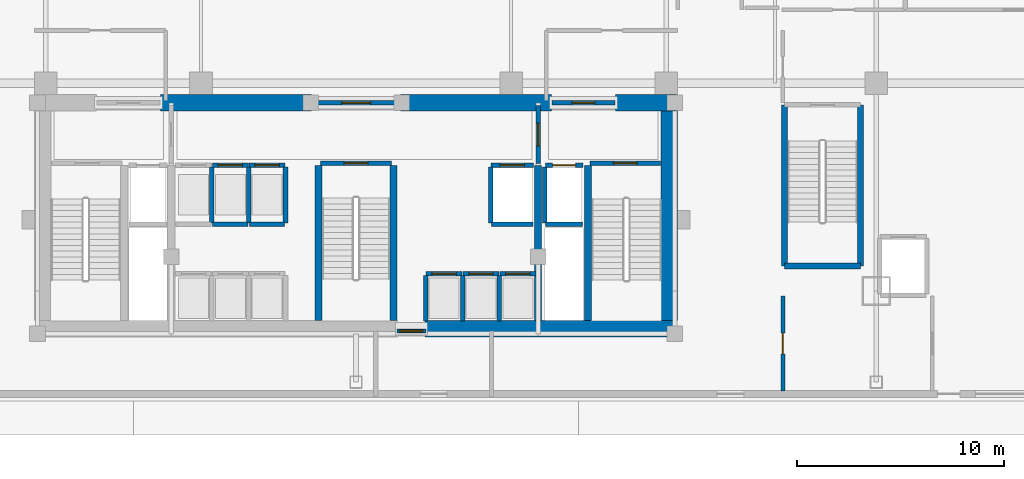
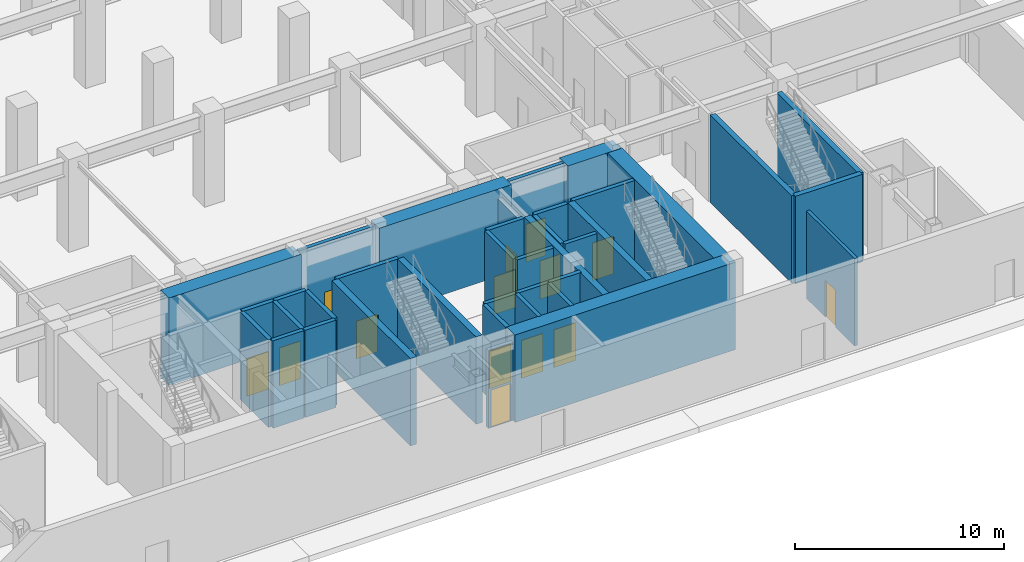
# One storey, part 17 of 23: 38 walls, 14 doors, 14 openings.
"""IFC4 building model written with IfcOpenShell, lengths in metres."""

from ifc_helpers import new_model, si_unit, direction, frame, frame_2d, origin, place, context, subcontext, project, spatial, rectangle, extrude, material, layer, layer_set, type_object, element, fill, save


model = new_model("IFC4")

# Units and contexts
model_context = context("Model", 3, precision=1e-05, world=origin(), true_north=direction((0.0, 1.0)))
body_context = subcontext(model_context, "Body", "Model", "MODEL_VIEW")
ifc_project = project(units=[si_unit("LENGTHUNIT", "METRE"), si_unit("AREAUNIT", "SQUARE_METRE"), si_unit("VOLUMEUNIT", "CUBIC_METRE"), si_unit("PLANEANGLEUNIT", "RADIAN"), si_unit("MASSUNIT", "GRAM", prefix="KILO")], contexts=[model_context])

# Site, building, storey
site_placement = place(None, origin())
site = spatial("IfcSite", under=ifc_project, at=site_placement, CompositionType="ELEMENT")
building_placement = place(site_placement, origin())
building = spatial("IfcBuilding", under=site, at=building_placement, Name="Ventersveld Concourse Tower", CompositionType="ELEMENT")
storey_placement = place(building_placement, origin())
storey = spatial("IfcBuildingStorey", under=building, at=storey_placement, Name="L00", CompositionType="ELEMENT", Elevation=0.0)

# Walls
ifc_material_1 = material(Name="Concrete C60/75", Category="concrete")
ifc_layer_1 = layer(ifc_material_1, 0.35009765625)
ifc_layer_set_1 = layer_set([ifc_layer_1], Name="Concrete C60/75")
wall_type_1 = type_object("IfcWallType", Name="WL-CORE-350L", PredefinedType="SHEAR", material=ifc_layer_set_1)
for number, where, z_axis, x_axis, name in (
    (1, (26.93994140625, 0.919921875, 0.0), (0.0, 0.0, 1.0), (0.0, 1.0, 0.0), "L00 Core Internal Shear Web W-ST3-W"),
    (2, (30.56005859375, 0.919921875, 0.0), (0.0, 0.0, 1.0), (0.0, 1.0, 0.0), "L00 Core Internal Shear Web W-ST3-E"),
    (3, (37.550048828125, 0.919921875, 0.0), (0.0, 0.0, 1.0), (0.0, 1.0, 0.0), "L00 Core Internal Shear Web W-SVL-W"),
    (4, (39.9599609375, 0.919921875, 0.0), (0.0, 0.0, 1.0), (0.0, 1.0, 0.0), "L00 Core Internal Shear Web W-ST2-W"),
):
    element("IfcWall", number, at=place(storey_placement, frame(where, z_axis=z_axis, x_axis=x_axis)), inside=storey, type_object=wall_type_1, Name=name, PredefinedType="SHEAR", context=body_context, shape_type="SweptSolid", body=[
        extrude(rectangle(XDim=7.5, YDim=0.35009765625, at=frame_2d((3.75, 0.0))), origin(), (0.0, 0.0, 1.0), 5.10009765625),
    ])
ifc_layer_2 = layer(ifc_material_1, 0.800048828125)
ifc_layer_set_2 = layer_set([ifc_layer_2], Name="Concrete C60/75")
wall_type_2 = type_object("IfcWallType", Name="WL-CORE-800", PredefinedType="SHEAR", material=ifc_layer_set_2)
wall_1_placement = place(storey_placement, frame((32.080078125, 0.52001953125, 0.0), z_axis=(0.0, 0.0, 1.0), x_axis=(1.0, 0.0, 0.0)))
element("IfcWall", 5, at=wall_1_placement, inside=storey, type_object=wall_type_2, Name="L00 Rear Core South Shear Wall East", PredefinedType="SHEAR", context=body_context, shape_type="SweptSolid", body=[
    extrude(rectangle(XDim=12.169921875, YDim=0.800048828125, at=frame_2d((6.0849609375, 0.0))), origin(), (0.0, 0.0, 1.0), 5.10009765625),
])
wall_2_placement = place(storey_placement, frame((43.89990234375, 0.919921875, 0.0), z_axis=(0.0, 0.0, 1.0), x_axis=(0.0, 1.0, 0.0)))
element("IfcWall", 6, at=wall_2_placement, inside=storey, type_object=wall_type_2, Name="L00 Rear Core East Shear Wall", PredefinedType="SHEAR", context=body_context, shape_type="SweptSolid", body=[
    extrude(rectangle(XDim=10.530029296875, YDim=0.800048828125, at=frame_2d((5.26513671875, 0.0))), origin(), (0.0, 0.0, 1.0), 5.10009765625),
])
for number, where, z_axis, x_axis, name in (
    (7, (19.300048828125, 11.449951171875, 0.0), (0.0, 0.0, 1.0), (1.0, 0.0, 0.0), "L00 Rear Core North Shear Wall NML"),
    (8, (30.89990234375, 11.449951171875, 0.0), (0.0, 0.0, 1.0), (1.0, 0.0, 0.0), "L00 Rear Core North Shear Wall NMR"),
):
    element("IfcWall", number, at=place(storey_placement, frame(where, z_axis=z_axis, x_axis=x_axis)), inside=storey, type_object=wall_type_2, Name=name, PredefinedType="SHEAR", context=body_context, shape_type="SweptSolid", body=[
        extrude(rectangle(XDim=7.300048828125, YDim=0.800048828125, at=frame_2d((3.64990234375, 0.0))), origin(), (0.0, 0.0, 1.0), 5.10009765625),
    ])
wall_3_placement = place(storey_placement, frame((41.300048828125, 11.449951171875, 0.0), z_axis=(0.0, 0.0, 1.0), x_axis=(1.0, 0.0, 0.0)))
element("IfcWall", 9, at=wall_3_placement, inside=storey, type_object=wall_type_2, Name="L00 Rear Core North Shear Wall NE", PredefinedType="SHEAR", context=body_context, shape_type="SweptSolid", body=[
    extrude(rectangle(XDim=2.949951171875, YDim=0.800048828125, at=frame_2d((1.47509765625, 0.0))), origin(), (0.0, 0.0, 1.0), 5.10009765625),
])

# Wall, opening, door
ifc_material_2 = material(Name="Fire-rated autoclaved aerated masonry blockwork", Category="masonry")
ifc_layer_3 = layer(ifc_material_2, 0.179931640625)
ifc_layer_set_3 = layer_set([ifc_layer_3], Name="Fire-rated autoclaved aerated masonry blockwork")
wall_type_3 = type_object("IfcWallType", Name="WL-CORR-180", PredefinedType="PARTITIONING", material=ifc_layer_set_3)
wall_4_placement = place(storey_placement, frame((49.389892578125, -2.47509765625, 0.0), z_axis=(0.0, 0.0, 1.0), x_axis=(0.0, 1.0, 0.0)))
wall_4 = element("IfcWall", 10, at=wall_4_placement, inside=storey, type_object=wall_type_3, Name="L00 Interior Partition SP-L00-SVCOR-SP-L00-EXP2", PredefinedType="PARTITIONING", context=body_context, shape_type="SweptSolid", body=[
    extrude(rectangle(XDim=4.590087890625, YDim=0.179931640625, at=frame_2d((2.294921875, 0.0))), origin(), (0.0, 0.0, 1.0), 5.10009765625),
])
opening_1_placement = place(wall_4_placement, frame((1.794921875, 0.0, 0.0)))
opening_1 = element("IfcOpeningElement", 11, at=opening_1_placement, cuts=wall_4, Name="Opening FD3", PredefinedType="OPENING", context=body_context, shape_type="SweptSolid", body=[
    extrude(rectangle(XDim=1.0, YDim=2.14990234375, at=frame_2d((0.5, 1.074951171875))), frame((0.0, 0.10009765625, 0.0), z_axis=(0.0, -1.0, 0.0), x_axis=(1.0, 0.0, 0.0)), (0.0, 0.0, 1.0), 0.199951171875),
])
ifc_material_3 = material(Name="Solid-core hardwood veneer timber", Category="wood")
door_type_1 = type_object("IfcDoorType", Name="DR-FLAT-100", OperationType="NOTDEFINED", PredefinedType="DOOR", material=ifc_material_3)
door_1_placement = place(opening_1_placement, origin())
door_1 = element("IfcDoor", 12, at=door_1_placement, inside=storey, type_object=door_type_1, Name="L00 Interior Door SP-L00-SVCOR to SP-L00-EXP2 (D-L00-0067)", OperationType="SINGLE_SWING_LEFT", OverallHeight=2.14990234375, OverallWidth=1.0, PredefinedType="DOOR", context=body_context, shape_type="SweptSolid", body=[
    extrude(rectangle(XDim=1.0, YDim=2.14990234375, at=frame_2d((0.5, 1.074951171875))), frame((0.0, 0.02490234375, 0.0), z_axis=(0.0, -1.0, 0.0), x_axis=(1.0, 0.0, 0.0)), (0.0, 0.0, 1.0), 0.050048828125),
])
fill(opening_1, door_1)

ifc_layer_4 = layer(ifc_material_2, 0.199951171875)
ifc_layer_set_4 = layer_set([ifc_layer_4], Name="Fire-rated autoclaved aerated masonry blockwork")
wall_type_4 = type_object("IfcWallType", Name="WL-DEMISE-200", PredefinedType="PARTITIONING", material=ifc_layer_set_4)
wall_5_placement = place(storey_placement, frame((30.719970703125, 0.419921875, 0.0), z_axis=(0.0, 0.0, 1.0), x_axis=(1.0, 0.0, 0.0)))
wall_5 = element("IfcWall", 13, at=wall_5_placement, inside=storey, type_object=wall_type_4, Name="L00 ST-03 South Protected Exit Portal Wall", PredefinedType="PARTITIONING", context=body_context, shape_type="SweptSolid", body=[
    extrude(rectangle(XDim=1.400146484375, YDim=0.199951171875, at=frame_2d((0.7001953125, 0.0))), origin(), (0.0, 0.0, 1.0), 4.555419921875),
])
opening_2_placement = place(wall_5_placement, frame((0.14990234375, 0.0, 0.0)))
opening_2 = element("IfcOpeningElement", 14, at=opening_2_placement, cuts=wall_5, Name="Opening FD2", PredefinedType="OPENING", context=body_context, shape_type="SweptSolid", body=[
    extrude(rectangle(XDim=1.10009765625, YDim=2.199951171875, at=frame_2d((0.550048828125, 1.10009765625))), frame((0.0, 0.10986328125, 0.0), z_axis=(0.0, -1.0, 0.0), x_axis=(1.0, 0.0, 0.0)), (0.0, 0.0, 1.0), 0.219970703125),
])
ifc_material_4 = material(Name="Galvanised painted steel", Category="steel")
door_type_2 = type_object("IfcDoorType", Name="DR-FFL-110", OperationType="NOTDEFINED", PredefinedType="DOOR", material=ifc_material_4)
door_2_placement = place(opening_2_placement, origin())
door_2 = element("IfcDoor", 15, at=door_2_placement, inside=storey, type_object=door_type_2, Name="L00 ST-03 Protected Exit Lobby Fire Door (FD-L00-0049)", OperationType="SINGLE_SWING_LEFT", OverallHeight=2.199951171875, OverallWidth=1.10009765625, PredefinedType="DOOR", context=body_context, shape_type="SweptSolid", body=[
    extrude(rectangle(XDim=1.10009765625, YDim=2.199951171875, at=frame_2d((0.550048828125, 1.10009765625))), frame((0.0, 0.02490234375, 0.0), z_axis=(0.0, -1.0, 0.0), x_axis=(1.0, 0.0, 0.0)), (0.0, 0.0, 1.0), 0.050048828125),
])
fill(opening_2, door_2)

# Walls
ifc_layer_5 = layer(ifc_material_2, 0.219970703125)
ifc_layer_set_5 = layer_set([ifc_layer_5], Name="Fire-rated autoclaved aerated masonry blockwork")
wall_type_5 = type_object("IfcWallType", Name="WL-HOIST-220", PredefinedType="SOLIDWALL", material=ifc_layer_set_5)
wall_6_placement = place(storey_placement, frame((37.919921875, 5.590087890625, 0.0), z_axis=(0.0, 0.0, 1.0), x_axis=(1.0, 0.0, 0.0)))
element("IfcWall", 16, at=wall_6_placement, inside=storey, type_object=wall_type_5, Name="L00 Lift Hoistway Back Wall FFL-02", PredefinedType="SOLIDWALL", context=body_context, shape_type="SweptSolid", body=[
    extrude(rectangle(XDim=1.780029296875, YDim=0.219970703125, at=frame_2d((0.89013671875, 0.0))), origin(), (0.0, 0.0, 1.0), 5.10009765625),
])
wall_7_placement = place(storey_placement, frame((37.8798828125, 5.64990234375, 0.0), z_axis=(0.0, 0.0, 1.0), x_axis=(0.0, 1.0, 0.0)))
element("IfcWall", 17, at=wall_7_placement, inside=storey, type_object=wall_type_5, Name="L00 Lift Hoistway Side Wall FFL-02W", PredefinedType="SOLIDWALL", context=body_context, shape_type="SweptSolid", body=[
    extrude(rectangle(XDim=2.7001953125, YDim=0.219970703125, at=frame_2d((1.35009765625, 0.0))), origin(), (0.0, 0.0, 1.0), 5.10009765625),
])

# Wall, opening, door
wall_8_placement = place(storey_placement, frame((37.89990234375, 8.429931640625, 0.0), z_axis=(0.0, 0.0, 1.0), x_axis=(1.0, 0.0, 0.0)))
wall_8 = element("IfcWall", 18, at=wall_8_placement, inside=storey, type_object=wall_type_5, Name="L00 Lift Hoistway Front Wall FFL-02", PredefinedType="SOLIDWALL", context=body_context, shape_type="SweptSolid", body=[
    extrude(rectangle(XDim=1.820068359375, YDim=0.219970703125, at=frame_2d((0.91015625, 0.0))), origin(), (0.0, 0.0, 1.0), 5.10009765625),
])
opening_3_placement = place(wall_8_placement, frame((0.35009765625, 0.0, 0.0)))
opening_3 = element("IfcOpeningElement", 19, at=opening_3_placement, cuts=wall_8, Name="Opening LD1", PredefinedType="OPENING", context=body_context, shape_type="SweptSolid", body=[
    extrude(rectangle(XDim=1.1201171875, YDim=2.25, at=frame_2d((0.56005859375, 1.125))), frame((0.0, 0.1201171875, 0.0), z_axis=(0.0, -1.0, 0.0), x_axis=(1.0, 0.0, 0.0)), (0.0, 0.0, 1.0), 0.239990234375),
])
ifc_material_5 = material(Name="Brushed stainless steel 316", Category="steel")
door_type_3 = type_object("IfcDoorType", Name="LD-FF-112", OperationType="SLIDING_TO_LEFT", PredefinedType="DOOR", material=ifc_material_5)
door_3_placement = place(opening_3_placement, origin())
door_3 = element("IfcDoor", 20, at=door_3_placement, inside=storey, type_object=door_type_3, Name="L00 Lift landing door FFL-02 (LD-L00-FFL-02)", OperationType="SLIDING_TO_RIGHT", OverallHeight=2.25, OverallWidth=1.1201171875, PredefinedType="DOOR", context=body_context, shape_type="SweptSolid", body=[
    extrude(rectangle(XDim=1.1201171875, YDim=2.25, at=frame_2d((0.56005859375, 1.125))), frame((0.0, 0.02490234375, 0.0), z_axis=(0.0, -1.0, 0.0), x_axis=(1.0, 0.0, 0.0)), (0.0, 0.0, 1.0), 0.050048828125),
])
fill(opening_3, door_3)

# Walls
wall_9_placement = place(storey_placement, frame((35.300048828125, 5.590087890625, 0.0), z_axis=(0.0, 0.0, 1.0), x_axis=(1.0, 0.0, 0.0)))
element("IfcWall", 21, at=wall_9_placement, inside=storey, type_object=wall_type_5, Name="L00 Lift Hoistway Back Wall SVL-01", PredefinedType="SOLIDWALL", context=body_context, shape_type="SweptSolid", body=[
    extrude(rectangle(XDim=2.0, YDim=0.219970703125, at=frame_2d((1.0, 0.0))), origin(), (0.0, 0.0, 1.0), 5.10009765625),
])
wall_10_placement = place(storey_placement, frame((35.260009765625, 5.64990234375, 0.0), z_axis=(0.0, 0.0, 1.0), x_axis=(0.0, 1.0, 0.0)))
element("IfcWall", 22, at=wall_10_placement, inside=storey, type_object=wall_type_5, Name="L00 Lift Hoistway Side Wall SVL-01W", PredefinedType="SOLIDWALL", context=body_context, shape_type="SweptSolid", body=[
    extrude(rectangle(XDim=2.7001953125, YDim=0.219970703125, at=frame_2d((1.35009765625, 0.0))), origin(), (0.0, 0.0, 1.0), 5.10009765625),
])

# Wall, opening, door
wall_11_placement = place(storey_placement, frame((35.280029296875, 8.429931640625, 0.0), z_axis=(0.0, 0.0, 1.0), x_axis=(1.0, 0.0, 0.0)))
wall_11 = element("IfcWall", 23, at=wall_11_placement, inside=storey, type_object=wall_type_5, Name="L00 Lift Hoistway Front Wall SVL-01", PredefinedType="SOLIDWALL", context=body_context, shape_type="SweptSolid", body=[
    extrude(rectangle(XDim=2.0400390625, YDim=0.219970703125, at=frame_2d((1.02001953125, 0.0))), origin(), (0.0, 0.0, 1.0), 5.10009765625),
])
opening_4_placement = place(wall_11_placement, frame((0.429931640625, 0.0, 0.0)))
opening_4 = element("IfcOpeningElement", 24, at=opening_4_placement, cuts=wall_11, Name="Opening LD2", PredefinedType="OPENING", context=body_context, shape_type="SweptSolid", body=[
    extrude(rectangle(XDim=1.179931640625, YDim=2.199951171875, at=frame_2d((0.58984375, 1.10009765625))), frame((0.0, 0.1201171875, 0.0), z_axis=(0.0, -1.0, 0.0), x_axis=(1.0, 0.0, 0.0)), (0.0, 0.0, 1.0), 0.239990234375),
])
door_type_4 = type_object("IfcDoorType", Name="LD-PAX-118", OperationType="SLIDING_TO_LEFT", PredefinedType="DOOR", material=ifc_material_5)
door_4_placement = place(opening_4_placement, origin())
door_4 = element("IfcDoor", 25, at=door_4_placement, inside=storey, type_object=door_type_4, Name="L00 Lift landing door SVL-01 (LD-L00-SVL-01)", OperationType="SLIDING_TO_LEFT", OverallHeight=2.199951171875, OverallWidth=1.179931640625, PredefinedType="DOOR", context=body_context, shape_type="SweptSolid", body=[
    extrude(rectangle(XDim=1.179931640625, YDim=2.199951171875, at=frame_2d((0.58984375, 1.10009765625))), frame((0.0, 0.02490234375, 0.0), z_axis=(0.0, -1.0, 0.0), x_axis=(1.0, 0.0, 0.0)), (0.0, 0.0, 1.0), 0.050048828125),
])
fill(opening_4, door_4)

# Walls
for number, where, z_axis, x_axis, name in (
    (26, (32.1201171875, 0.89990234375, 0.0), (0.0, 0.0, 1.0), (0.0, 1.0, 0.0), "L00 Lift Hoistway Side Wall PM-01W"),
    (27, (33.89990234375, 0.89990234375, 0.0), (0.0, 0.0, 1.0), (0.0, 1.0, 0.0), "L00 Lift Hoistway Side Wall PM-01E"),
):
    element("IfcWall", number, at=place(storey_placement, frame(where, z_axis=z_axis, x_axis=x_axis)), inside=storey, type_object=wall_type_5, Name=name, PredefinedType="SOLIDWALL", context=body_context, shape_type="SweptSolid", body=[
        extrude(rectangle(XDim=2.2001953125, YDim=0.219970703125, at=frame_2d((1.10009765625, 0.0))), origin(), (0.0, 0.0, 1.0), 5.10009765625),
    ])

# Wall, opening, door
wall_12_placement = place(storey_placement, frame((32.139892578125, 3.179931640625, 0.0), z_axis=(0.0, 0.0, 1.0), x_axis=(1.0, 0.0, 0.0)))
wall_12 = element("IfcWall", 28, at=wall_12_placement, inside=storey, type_object=wall_type_5, Name="L00 Lift Hoistway Front Wall PM-01", PredefinedType="SOLIDWALL", context=body_context, shape_type="SweptSolid", body=[
    extrude(rectangle(XDim=1.739990234375, YDim=0.219970703125, at=frame_2d((0.8701171875, 0.0))), origin(), (0.0, 0.0, 1.0), 5.10009765625),
])
opening_5_placement = place(wall_12_placement, frame((0.280029296875, 0.0, 0.0)))
opening_5 = element("IfcOpeningElement", 29, at=opening_5_placement, cuts=wall_12, Name="Opening LD2", PredefinedType="OPENING", context=body_context, shape_type="SweptSolid", body=[
    extrude(rectangle(XDim=1.179931640625, YDim=2.199951171875, at=frame_2d((0.58984375, 1.10009765625))), frame((0.0, 0.1201171875, 0.0), z_axis=(0.0, -1.0, 0.0), x_axis=(1.0, 0.0, 0.0)), (0.0, 0.0, 1.0), 0.239990234375),
])
door_5_placement = place(opening_5_placement, origin())
door_5 = element("IfcDoor", 30, at=door_5_placement, inside=storey, type_object=door_type_4, Name="L00 Lift landing door PM-01 (LD-L00-PM-01)", OperationType="SLIDING_TO_LEFT", OverallHeight=2.199951171875, OverallWidth=1.179931640625, PredefinedType="DOOR", context=body_context, shape_type="SweptSolid", body=[
    extrude(rectangle(XDim=1.179931640625, YDim=2.199951171875, at=frame_2d((0.58984375, 1.10009765625))), frame((0.0, 0.02490234375, 0.0), z_axis=(0.0, -1.0, 0.0), x_axis=(1.0, 0.0, 0.0)), (0.0, 0.0, 1.0), 0.050048828125),
])
fill(opening_5, door_5)

# Wall
wall_13_placement = place(storey_placement, frame((35.679931640625, 0.89990234375, 0.0), z_axis=(0.0, 0.0, 1.0), x_axis=(0.0, 1.0, 0.0)))
element("IfcWall", 31, at=wall_13_placement, inside=storey, type_object=wall_type_5, Name="L00 Lift Hoistway Side Wall PM-02E", PredefinedType="SOLIDWALL", context=body_context, shape_type="SweptSolid", body=[
    extrude(rectangle(XDim=2.2001953125, YDim=0.219970703125, at=frame_2d((1.10009765625, 0.0))), origin(), (0.0, 0.0, 1.0), 5.10009765625),
])

# Wall, opening, door
wall_14_placement = place(storey_placement, frame((33.919921875, 3.179931640625, 0.0), z_axis=(0.0, 0.0, 1.0), x_axis=(1.0, 0.0, 0.0)))
wall_14 = element("IfcWall", 32, at=wall_14_placement, inside=storey, type_object=wall_type_5, Name="L00 Lift Hoistway Front Wall PM-02", PredefinedType="SOLIDWALL", context=body_context, shape_type="SweptSolid", body=[
    extrude(rectangle(XDim=1.739990234375, YDim=0.219970703125, at=frame_2d((0.8701171875, 0.0))), origin(), (0.0, 0.0, 1.0), 5.10009765625),
])
opening_6_placement = place(wall_14_placement, frame((0.280029296875, 0.0, 0.0)))
opening_6 = element("IfcOpeningElement", 33, at=opening_6_placement, cuts=wall_14, Name="Opening LD2", PredefinedType="OPENING", context=body_context, shape_type="SweptSolid", body=[
    extrude(rectangle(XDim=1.179931640625, YDim=2.199951171875, at=frame_2d((0.58984375, 1.10009765625))), frame((0.0, 0.1201171875, 0.0), z_axis=(0.0, -1.0, 0.0), x_axis=(1.0, 0.0, 0.0)), (0.0, 0.0, 1.0), 0.239990234375),
])
door_6_placement = place(opening_6_placement, origin())
door_6 = element("IfcDoor", 34, at=door_6_placement, inside=storey, type_object=door_type_4, Name="L00 Lift landing door PM-02 (LD-L00-PM-02)", OperationType="SLIDING_TO_RIGHT", OverallHeight=2.199951171875, OverallWidth=1.179931640625, PredefinedType="DOOR", context=body_context, shape_type="SweptSolid", body=[
    extrude(rectangle(XDim=1.179931640625, YDim=2.199951171875, at=frame_2d((0.58984375, 1.10009765625))), frame((0.0, 0.02490234375, 0.0), z_axis=(0.0, -1.0, 0.0), x_axis=(1.0, 0.0, 0.0)), (0.0, 0.0, 1.0), 0.050048828125),
])
fill(opening_6, door_6)

wall_15_placement = place(storey_placement, frame((35.699951171875, 3.179931640625, 0.0), z_axis=(0.0, 0.0, 1.0), x_axis=(1.0, 0.0, 0.0)))
wall_15 = element("IfcWall", 35, at=wall_15_placement, inside=storey, type_object=wall_type_5, Name="L00 Lift Hoistway Front Wall PM-03", PredefinedType="SOLIDWALL", context=body_context, shape_type="SweptSolid", body=[
    extrude(rectangle(XDim=1.739990234375, YDim=0.219970703125, at=frame_2d((0.8701171875, 0.0))), origin(), (0.0, 0.0, 1.0), 5.10009765625),
])
opening_7_placement = place(wall_15_placement, frame((0.280029296875, 0.0, 0.0)))
opening_7 = element("IfcOpeningElement", 36, at=opening_7_placement, cuts=wall_15, Name="Opening LD2", PredefinedType="OPENING", context=body_context, shape_type="SweptSolid", body=[
    extrude(rectangle(XDim=1.179931640625, YDim=2.199951171875, at=frame_2d((0.58984375, 1.10009765625))), frame((0.0, 0.1201171875, 0.0), z_axis=(0.0, -1.0, 0.0), x_axis=(1.0, 0.0, 0.0)), (0.0, 0.0, 1.0), 0.239990234375),
])
door_7_placement = place(opening_7_placement, origin())
door_7 = element("IfcDoor", 37, at=door_7_placement, inside=storey, type_object=door_type_4, Name="L00 Lift landing door PM-03 (LD-L00-PM-03)", OperationType="SLIDING_TO_LEFT", OverallHeight=2.199951171875, OverallWidth=1.179931640625, PredefinedType="DOOR", context=body_context, shape_type="SweptSolid", body=[
    extrude(rectangle(XDim=1.179931640625, YDim=2.199951171875, at=frame_2d((0.58984375, 1.10009765625))), frame((0.0, 0.02490234375, 0.0), z_axis=(0.0, -1.0, 0.0), x_axis=(1.0, 0.0, 0.0)), (0.0, 0.0, 1.0), 0.050048828125),
])
fill(opening_7, door_7)

# Walls
wall_16_placement = place(storey_placement, frame((21.780029296875, 5.64990234375, 0.0), z_axis=(0.0, 0.0, 1.0), x_axis=(0.0, 1.0, 0.0)))
element("IfcWall", 38, at=wall_16_placement, inside=storey, type_object=wall_type_5, Name="L00 Lift Hoistway Side Wall PH-01E", PredefinedType="SOLIDWALL", context=body_context, shape_type="SweptSolid", body=[
    extrude(rectangle(XDim=2.7001953125, YDim=0.219970703125, at=frame_2d((1.35009765625, 0.0))), origin(), (0.0, 0.0, 1.0), 5.10009765625),
])
wall_17_placement = place(storey_placement, frame((21.820068359375, 5.590087890625, 0.0), z_axis=(0.0, 0.0, 1.0), x_axis=(1.0, 0.0, 0.0)))
element("IfcWall", 39, at=wall_17_placement, inside=storey, type_object=wall_type_5, Name="L00 Lift Hoistway Back Wall PH-02", PredefinedType="SOLIDWALL", context=body_context, shape_type="SweptSolid", body=[
    extrude(rectangle(XDim=1.699951171875, YDim=0.219970703125, at=frame_2d((0.85009765625, 0.0))), origin(), (0.0, 0.0, 1.0), 5.10009765625),
])
wall_18_placement = place(storey_placement, frame((23.56005859375, 5.64990234375, 0.0), z_axis=(0.0, 0.0, 1.0), x_axis=(0.0, 1.0, 0.0)))
element("IfcWall", 40, at=wall_18_placement, inside=storey, type_object=wall_type_5, Name="L00 Lift Hoistway Side Wall PH-02E", PredefinedType="SOLIDWALL", context=body_context, shape_type="SweptSolid", body=[
    extrude(rectangle(XDim=2.7001953125, YDim=0.219970703125, at=frame_2d((1.35009765625, 0.0))), origin(), (0.0, 0.0, 1.0), 5.10009765625),
])

# Wall, opening, door
wall_19_placement = place(storey_placement, frame((21.800048828125, 8.429931640625, 0.0), z_axis=(0.0, 0.0, 1.0), x_axis=(1.0, 0.0, 0.0)))
wall_19 = element("IfcWall", 41, at=wall_19_placement, inside=storey, type_object=wall_type_5, Name="L00 Lift Hoistway Front Wall PH-02", PredefinedType="SOLIDWALL", context=body_context, shape_type="SweptSolid", body=[
    extrude(rectangle(XDim=1.739990234375, YDim=0.219970703125, at=frame_2d((0.8701171875, 0.0))), origin(), (0.0, 0.0, 1.0), 5.10009765625),
])
opening_8_placement = place(wall_19_placement, frame((0.280029296875, 0.0, 0.0)))
opening_8 = element("IfcOpeningElement", 42, at=opening_8_placement, cuts=wall_19, Name="Opening LD2", PredefinedType="OPENING", context=body_context, shape_type="SweptSolid", body=[
    extrude(rectangle(XDim=1.179931640625, YDim=2.199951171875, at=frame_2d((0.58984375, 1.10009765625))), frame((0.0, 0.1201171875, 0.0), z_axis=(0.0, -1.0, 0.0), x_axis=(1.0, 0.0, 0.0)), (0.0, 0.0, 1.0), 0.239990234375),
])
door_8_placement = place(opening_8_placement, origin())
door_8 = element("IfcDoor", 43, at=door_8_placement, inside=storey, type_object=door_type_4, Name="L00 Lift landing door PH-02 (LD-L00-PH-02)", OperationType="SLIDING_TO_LEFT", OverallHeight=2.199951171875, OverallWidth=1.179931640625, PredefinedType="DOOR", context=body_context, shape_type="SweptSolid", body=[
    extrude(rectangle(XDim=1.179931640625, YDim=2.199951171875, at=frame_2d((0.58984375, 1.10009765625))), frame((0.0, 0.02490234375, 0.0), z_axis=(0.0, -1.0, 0.0), x_axis=(1.0, 0.0, 0.0)), (0.0, 0.0, 1.0), 0.050048828125),
])
fill(opening_8, door_8)

# Walls
wall_20_placement = place(storey_placement, frame((23.60009765625, 5.590087890625, 0.0), z_axis=(0.0, 0.0, 1.0), x_axis=(1.0, 0.0, 0.0)))
element("IfcWall", 44, at=wall_20_placement, inside=storey, type_object=wall_type_5, Name="L00 Lift Hoistway Back Wall PH-03", PredefinedType="SOLIDWALL", context=body_context, shape_type="SweptSolid", body=[
    extrude(rectangle(XDim=1.699951171875, YDim=0.219970703125, at=frame_2d((0.85009765625, 0.0))), origin(), (0.0, 0.0, 1.0), 5.10009765625),
])
wall_21_placement = place(storey_placement, frame((25.340087890625, 5.64990234375, 0.0), z_axis=(0.0, 0.0, 1.0), x_axis=(0.0, 1.0, 0.0)))
element("IfcWall", 45, at=wall_21_placement, inside=storey, type_object=wall_type_5, Name="L00 Lift Hoistway Side Wall PH-03E", PredefinedType="SOLIDWALL", context=body_context, shape_type="SweptSolid", body=[
    extrude(rectangle(XDim=2.7001953125, YDim=0.219970703125, at=frame_2d((1.35009765625, 0.0))), origin(), (0.0, 0.0, 1.0), 5.10009765625),
])

# Wall, opening, door
wall_22_placement = place(storey_placement, frame((23.580078125, 8.429931640625, 0.0), z_axis=(0.0, 0.0, 1.0), x_axis=(1.0, 0.0, 0.0)))
wall_22 = element("IfcWall", 46, at=wall_22_placement, inside=storey, type_object=wall_type_5, Name="L00 Lift Hoistway Front Wall PH-03", PredefinedType="SOLIDWALL", context=body_context, shape_type="SweptSolid", body=[
    extrude(rectangle(XDim=1.739990234375, YDim=0.219970703125, at=frame_2d((0.8701171875, 0.0))), origin(), (0.0, 0.0, 1.0), 5.10009765625),
])
opening_9_placement = place(wall_22_placement, frame((0.280029296875, 0.0, 0.0)))
opening_9 = element("IfcOpeningElement", 47, at=opening_9_placement, cuts=wall_22, Name="Opening LD2", PredefinedType="OPENING", context=body_context, shape_type="SweptSolid", body=[
    extrude(rectangle(XDim=1.179931640625, YDim=2.199951171875, at=frame_2d((0.58984375, 1.10009765625))), frame((0.0, 0.1201171875, 0.0), z_axis=(0.0, -1.0, 0.0), x_axis=(1.0, 0.0, 0.0)), (0.0, 0.0, 1.0), 0.239990234375),
])
door_9_placement = place(opening_9_placement, origin())
door_9 = element("IfcDoor", 48, at=door_9_placement, inside=storey, type_object=door_type_4, Name="L00 Lift landing door PH-03 (LD-L00-PH-03)", OperationType="SLIDING_TO_RIGHT", OverallHeight=2.199951171875, OverallWidth=1.179931640625, PredefinedType="DOOR", context=body_context, shape_type="SweptSolid", body=[
    extrude(rectangle(XDim=1.179931640625, YDim=2.199951171875, at=frame_2d((0.58984375, 1.10009765625))), frame((0.0, 0.02490234375, 0.0), z_axis=(0.0, -1.0, 0.0), x_axis=(1.0, 0.0, 0.0)), (0.0, 0.0, 1.0), 0.050048828125),
])
fill(opening_9, door_9)

wall_23_placement = place(storey_placement, frame((40.06005859375, 8.52001953125, 0.0), z_axis=(0.0, 0.0, 1.0), x_axis=(1.0, 0.0, 0.0)))
wall_23 = element("IfcWall", 49, at=wall_23_placement, inside=storey, type_object=wall_type_5, Name="L00 Escape Stair ST02 Fire Wall", PredefinedType="SOLIDWALL", context=body_context, shape_type="SweptSolid", body=[
    extrude(rectangle(XDim=3.39990234375, YDim=0.219970703125, at=frame_2d((1.699951171875, 0.0))), origin(), (0.0, 0.0, 1.0), 5.10009765625),
])
opening_10_placement = place(wall_23_placement, frame((1.125, 0.0, 0.0)))
opening_10 = element("IfcOpeningElement", 50, at=opening_10_placement, cuts=wall_23, Name="Opening FD1", PredefinedType="OPENING", context=body_context, shape_type="SweptSolid", body=[
    extrude(rectangle(XDim=1.14990234375, YDim=2.199951171875, at=frame_2d((0.574951171875, 1.10009765625))), frame((0.0, 0.1201171875, 0.0), z_axis=(0.0, -1.0, 0.0), x_axis=(1.0, 0.0, 0.0)), (0.0, 0.0, 1.0), 0.239990234375),
])
door_type_5 = type_object("IfcDoorType", Name="DR-STAIR-115", OperationType="NOTDEFINED", PredefinedType="DOOR", material=ifc_material_4)
door_10_placement = place(opening_10_placement, origin())
door_10 = element("IfcDoor", 51, at=door_10_placement, inside=storey, type_object=door_type_5, Name="L00 Escape Stair Door ST02 (SD-L00-0051)", OperationType="SINGLE_SWING_RIGHT", OverallHeight=2.199951171875, OverallWidth=1.14990234375, PredefinedType="DOOR", context=body_context, shape_type="SweptSolid", body=[
    extrude(rectangle(XDim=1.14990234375, YDim=2.199951171875, at=frame_2d((0.574951171875, 1.10009765625))), frame((0.0, 0.02490234375, 0.0), z_axis=(0.0, -1.0, 0.0), x_axis=(1.0, 0.0, 0.0)), (0.0, 0.0, 1.0), 0.050048828125),
])
fill(opening_10, door_10)

wall_24_placement = place(storey_placement, frame((27.0400390625, 8.52001953125, 0.0), z_axis=(0.0, 0.0, 1.0), x_axis=(1.0, 0.0, 0.0)))
wall_24 = element("IfcWall", 52, at=wall_24_placement, inside=storey, type_object=wall_type_5, Name="L00 Escape Stair ST03 Fire Wall", PredefinedType="SOLIDWALL", context=body_context, shape_type="SweptSolid", body=[
    extrude(rectangle(XDim=3.419921875, YDim=0.219970703125, at=frame_2d((1.7099609375, 0.0))), origin(), (0.0, 0.0, 1.0), 5.10009765625),
])
opening_11_placement = place(wall_24_placement, frame((1.135009765625, 0.0, 0.0)))
opening_11 = element("IfcOpeningElement", 53, at=opening_11_placement, cuts=wall_24, Name="Opening FD1", PredefinedType="OPENING", context=body_context, shape_type="SweptSolid", body=[
    extrude(rectangle(XDim=1.14990234375, YDim=2.199951171875, at=frame_2d((0.574951171875, 1.10009765625))), frame((0.0, 0.1201171875, 0.0), z_axis=(0.0, -1.0, 0.0), x_axis=(1.0, 0.0, 0.0)), (0.0, 0.0, 1.0), 0.239990234375),
])
door_11_placement = place(opening_11_placement, origin())
door_11 = element("IfcDoor", 54, at=door_11_placement, inside=storey, type_object=door_type_5, Name="L00 Escape Stair Door ST03 (SD-L00-0052)", OperationType="SINGLE_SWING_LEFT", OverallHeight=2.199951171875, OverallWidth=1.14990234375, PredefinedType="DOOR", context=body_context, shape_type="SweptSolid", body=[
    extrude(rectangle(XDim=1.14990234375, YDim=2.199951171875, at=frame_2d((0.574951171875, 1.10009765625))), frame((0.0, 0.02490234375, 0.0), z_axis=(0.0, -1.0, 0.0), x_axis=(1.0, 0.0, 0.0)), (0.0, 0.0, 1.0), 0.050048828125),
])
fill(opening_11, door_11)

wall_25_placement = place(storey_placement, frame((37.550048828125, 8.52001953125, 0.0), z_axis=(0.0, 0.0, 1.0), x_axis=(0.0, 1.0, 0.0)))
wall_25 = element("IfcWall", 55, at=wall_25_placement, inside=storey, type_object=wall_type_5, Name="L00 Firefighting Lobby Smoke-Stop Wall FFLE-SEP", PredefinedType="SOLIDWALL", context=body_context, shape_type="SweptSolid", body=[
    extrude(rectangle(XDim=2.800048828125, YDim=0.219970703125, at=frame_2d((1.39990234375, 0.0))), origin(), (0.0, 0.0, 1.0), 4.555419921875),
])
opening_12_placement = place(wall_25_placement, frame((0.85009765625, 0.0, 0.0)))
opening_12 = element("IfcOpeningElement", 56, at=opening_12_placement, cuts=wall_25, Name="Opening FD2", PredefinedType="OPENING", context=body_context, shape_type="SweptSolid", body=[
    extrude(rectangle(XDim=1.10009765625, YDim=2.199951171875, at=frame_2d((0.550048828125, 1.10009765625))), frame((0.0, 0.1201171875, 0.0), z_axis=(0.0, -1.0, 0.0), x_axis=(1.0, 0.0, 0.0)), (0.0, 0.0, 1.0), 0.239990234375),
])
door_12_placement = place(opening_12_placement, origin())
door_12 = element("IfcDoor", 57, at=door_12_placement, inside=storey, type_object=door_type_2, Name="L00 Firefighting Lobby Door FFLE-SEP (FD-L00-0056)", OperationType="SINGLE_SWING_RIGHT", OverallHeight=2.199951171875, OverallWidth=1.10009765625, PredefinedType="DOOR", context=body_context, shape_type="SweptSolid", body=[
    extrude(rectangle(XDim=1.10009765625, YDim=2.199951171875, at=frame_2d((0.550048828125, 1.10009765625))), frame((0.0, 0.02490234375, 0.0), z_axis=(0.0, -1.0, 0.0), x_axis=(1.0, 0.0, 0.0)), (0.0, 0.0, 1.0), 0.050048828125),
])
fill(opening_12, door_12)

wall_26_placement = place(storey_placement, frame((26.6298828125, 11.449951171875, 0.0), z_axis=(0.0, 0.0, 1.0), x_axis=(1.0, 0.0, 0.0)))
wall_26 = element("IfcWall", 58, at=wall_26_placement, inside=storey, type_object=wall_type_5, Name="L00 Core North Fire Portal PLOB-OUT", PredefinedType="SOLIDWALL", context=body_context, shape_type="SweptSolid", body=[
    extrude(rectangle(XDim=4.240234375, YDim=0.219970703125, at=frame_2d((2.1201171875, 0.0))), origin(), (0.0, 0.0, 1.0), 5.10009765625),
])
opening_13_placement = place(wall_26_placement, frame((1.419921875, 0.0, 0.0)))
opening_13 = element("IfcOpeningElement", 59, at=opening_13_placement, cuts=wall_26, Name="Opening FD4", PredefinedType="OPENING", context=body_context, shape_type="SweptSolid", body=[
    extrude(rectangle(XDim=1.39990234375, YDim=2.199951171875, at=frame_2d((0.699951171875, 1.10009765625))), frame((0.0, 0.1201171875, 0.0), z_axis=(0.0, -1.0, 0.0), x_axis=(1.0, 0.0, 0.0)), (0.0, 0.0, 1.0), 0.239990234375),
])
door_type_6 = type_object("IfcDoorType", Name="DR-PLANT-140", OperationType="DOUBLE_DOOR_SINGLE_SWING", PredefinedType="DOOR", material=ifc_material_4)
door_13_placement = place(opening_13_placement, origin())
door_13 = element("IfcDoor", 60, at=door_13_placement, inside=storey, type_object=door_type_6, Name="L00 Core Lobby Fire Door PLOB-OUT (FD-L00-0058)", OperationType="DOUBLE_DOOR_SINGLE_SWING", OverallHeight=2.199951171875, OverallWidth=1.39990234375, PredefinedType="DOOR", context=body_context, shape_type="SweptSolid", body=[
    extrude(rectangle(XDim=1.39990234375, YDim=2.199951171875, at=frame_2d((0.699951171875, 1.10009765625))), frame((0.0, 0.02490234375, 0.0), z_axis=(0.0, -1.0, 0.0), x_axis=(1.0, 0.0, 0.0)), (0.0, 0.0, 1.0), 0.050048828125),
])
fill(opening_13, door_13)

wall_27_placement = place(storey_placement, frame((38.22998046875, 11.449951171875, 0.0), z_axis=(0.0, 0.0, 1.0), x_axis=(1.0, 0.0, 0.0)))
wall_27 = element("IfcWall", 61, at=wall_27_placement, inside=storey, type_object=wall_type_5, Name="L00 Core North Fire Portal FFLE-OUT", PredefinedType="SOLIDWALL", context=body_context, shape_type="SweptSolid", body=[
    extrude(rectangle(XDim=3.0400390625, YDim=0.219970703125, at=frame_2d((1.52001953125, 0.0))), origin(), (0.0, 0.0, 1.0), 5.10009765625),
])
opening_14_placement = place(wall_27_placement, frame((0.969970703125, 0.0, 0.0)))
opening_14 = element("IfcOpeningElement", 62, at=opening_14_placement, cuts=wall_27, Name="Opening FD2", PredefinedType="OPENING", context=body_context, shape_type="SweptSolid", body=[
    extrude(rectangle(XDim=1.10009765625, YDim=2.199951171875, at=frame_2d((0.550048828125, 1.10009765625))), frame((0.0, 0.1201171875, 0.0), z_axis=(0.0, -1.0, 0.0), x_axis=(1.0, 0.0, 0.0)), (0.0, 0.0, 1.0), 0.239990234375),
])
door_14_placement = place(opening_14_placement, origin())
door_14 = element("IfcDoor", 63, at=door_14_placement, inside=storey, type_object=door_type_2, Name="L00 Core Lobby Fire Door FFLE-OUT (FD-L00-0059)", OperationType="SINGLE_SWING_LEFT", OverallHeight=2.199951171875, OverallWidth=1.10009765625, PredefinedType="DOOR", context=body_context, shape_type="SweptSolid", body=[
    extrude(rectangle(XDim=1.10009765625, YDim=2.199951171875, at=frame_2d((0.550048828125, 1.10009765625))), frame((0.0, 0.02490234375, 0.0), z_axis=(0.0, -1.0, 0.0), x_axis=(1.0, 0.0, 0.0)), (0.0, 0.0, 1.0), 0.050048828125),
])
fill(opening_14, door_14)

# Walls
ifc_material_6 = material(Name="Concrete C50/60", Category="concrete")
ifc_layer_6 = layer(ifc_material_6, 0.280029296875)
ifc_layer_set_6 = layer_set([ifc_layer_6], Name="Concrete C50/60")
wall_type_6 = type_object("IfcWallType", Name="WL-SHAFT-280", PredefinedType="SHEAR", material=ifc_layer_set_6)
wall_28_placement = place(storey_placement, frame((49.4599609375, 3.56005859375, 0.0), z_axis=(0.0, 0.0, 1.0), x_axis=(1.0, 0.0, 0.0)))
element("IfcWall", 64, at=wall_28_placement, inside=storey, type_object=wall_type_6, Name="L00 ST05 Structural Shaft Wall S", PredefinedType="SHEAR", context=body_context, shape_type="SweptSolid", body=[
    extrude(rectangle(XDim=3.679931640625, YDim=0.280029296875, at=frame_2d((1.83984375, 0.0))), origin(), (0.0, 0.0, 1.0), 5.10009765625),
])
for number, where, z_axis, x_axis, name in (
    (65, (49.4599609375, 3.56005859375, 0.0), (0.0, 0.0, 1.0), (0.0, 1.0, 0.0), "L00 ST05 Structural Shaft Wall W"),
    (66, (53.139892578125, 3.56005859375, 0.0), (0.0, 0.0, 1.0), (0.0, 1.0, 0.0), "L00 ST05 Structural Shaft Wall E"),
):
    element("IfcWall", number, at=place(storey_placement, frame(where, z_axis=z_axis, x_axis=x_axis)), inside=storey, type_object=wall_type_6, Name=name, PredefinedType="SHEAR", context=body_context, shape_type="SweptSolid", body=[
        extrude(rectangle(XDim=7.7900390625, YDim=0.280029296875, at=frame_2d((3.89501953125, 0.0))), origin(), (0.0, 0.0, 1.0), 5.10009765625),
    ])

save(model, "model.ifc")
